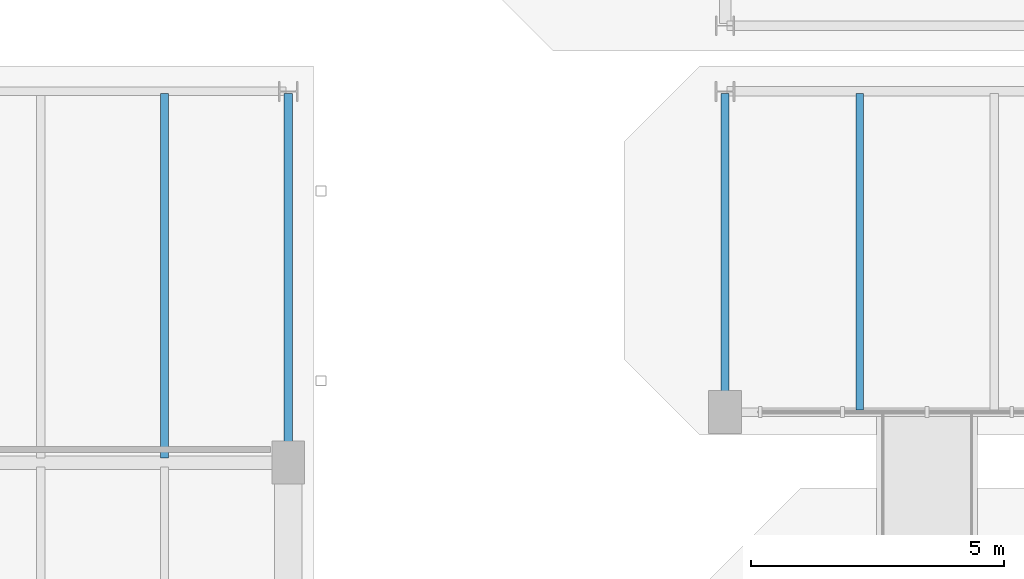
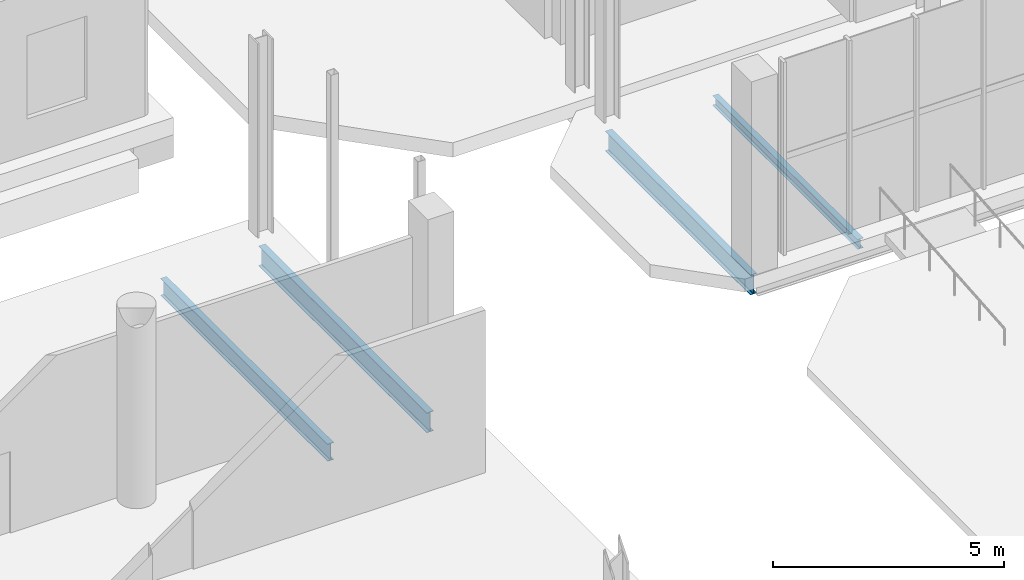
# One storey, part 37 of 87: 4 beams.
"""IFC4 building model written with IfcOpenShell, lengths in metres."""

from ifc_helpers import new_model, si_unit, direction, frame, origin, origin_2d, place, context, subcontext, project, spatial, i_section, extrude, material, material_profile, profile_set, type_object, element, save


model = new_model("IFC4")

# Units and contexts
model_context = context("Model", 3, precision=1e-05, world=origin(), true_north=direction((0.0, 1.0)))
body_context = subcontext(model_context, "Body", "Model", "MODEL_VIEW")
ifc_project = project(units=[si_unit("LENGTHUNIT", "METRE"), si_unit("AREAUNIT", "SQUARE_METRE"), si_unit("VOLUMEUNIT", "CUBIC_METRE"), si_unit("PLANEANGLEUNIT", "RADIAN"), si_unit("MASSUNIT", "GRAM", prefix="KILO")], contexts=[model_context])

# Site, building, storey
site_placement = place(None, origin())
site = spatial("IfcSite", under=ifc_project, at=site_placement, CompositionType="ELEMENT")
building_placement = place(site_placement, origin())
building = spatial("IfcBuilding", under=site, at=building_placement, Name="Brisemont Oceanarium", CompositionType="ELEMENT")
storey_placement = place(building_placement, origin())
storey = spatial("IfcBuildingStorey", under=building, at=storey_placement, Name="L00", CompositionType="ELEMENT", Elevation=0.0)

# Beams
ifc_material_1 = material(Name="Structural Steel ASTM A992 Gr.50", Category="steel")
ifc_material_profile_1 = material_profile(ifc_material_1, i_section(OverallWidth=0.14599609375, OverallDepth=0.259033203125, WebThickness=0.006103515625, FlangeThickness=0.009033203125, FilletRadius=0.008056640625, at=origin_2d()), Name="W10X22")
ifc_profile_set_1 = profile_set([ifc_material_profile_1], Name="Structural Steel ASTM A992 Gr.50")
beam_type_1 = type_object("IfcBeamType", Name="BM-W10X22", PredefinedType="LINTEL", material=ifc_profile_set_1)
beam_1_placement = place(storey_placement, frame((66.666748046875, 25.0400390625, -0.469482421875), z_axis=(0.0, 1.0, 0.0), x_axis=(-1.0, 0.0, 0.0)))
element("IfcBeam", 1, at=beam_1_placement, inside=storey, type_object=beam_type_1, Name="V1P L00 secondary floor beam", PredefinedType="LINTEL", context=body_context, shape_type="SweptSolid", body=[
    extrude(i_section(OverallWidth=0.14599609375, OverallDepth=0.259033203125, WebThickness=0.006103515625, FlangeThickness=0.009033203125, FilletRadius=0.008056640625, at=origin_2d()), origin(), (0.0, 0.0, 1.0), 6.27001953125),
])
ifc_material_2 = material(Name="Structural Steel ASTM A992 Gr.50", Category="steel")
ifc_material_profile_2 = material_profile(ifc_material_2, i_section(OverallWidth=0.153076171875, OverallDepth=0.455078125, WebThickness=0.008056640625, FlangeThickness=0.01318359375, FilletRadius=0.010986328125, at=origin_2d()), Name="W18X40")
ifc_profile_set_2 = profile_set([ifc_material_profile_2], Name="Structural Steel ASTM A992 Gr.50")
beam_type_2 = type_object("IfcBeamType", Name="BM-W18X40", PredefinedType="JOIST", material=ifc_profile_set_2)
beam_2_placement = place(storey_placement, frame((52.89990234375, 24.090087890625, -0.5673828125), z_axis=(0.0, 1.0, 0.0), x_axis=(-1.0, 0.0, 0.0)))
element("IfcBeam", 2, at=beam_2_placement, inside=storey, type_object=beam_type_2, Name="V2 L00 secondary floor beam", PredefinedType="JOIST", context=body_context, shape_type="SweptSolid", body=[
    extrude(i_section(OverallWidth=0.153076171875, OverallDepth=0.455078125, WebThickness=0.008056640625, FlangeThickness=0.01318359375, FilletRadius=0.010986328125, at=origin_2d()), origin(), (0.0, 0.0, 1.0), 7.219970703125),
])
ifc_material_3 = material(Name="Structural Steel ASTM A992 Gr.50", Category="steel")
ifc_material_profile_3 = material_profile(ifc_material_3, i_section(OverallWidth=0.166015625, OverallDepth=0.528076171875, WebThickness=0.009765625, FlangeThickness=0.013671875, FilletRadius=0.012939453125, at=origin_2d()), Name="W21X50")
ifc_profile_set_3 = profile_set([ifc_material_profile_3], Name="Structural Steel ASTM A992 Gr.50")
beam_type_3 = type_object("IfcBeamType", Name="BM-W21X50", PredefinedType="SPANDREL", material=ifc_profile_set_3)
beam_3_placement = place(storey_placement, frame((64.0, 25.0400390625, -0.60400390625), z_axis=(0.0, 1.0, 0.0), x_axis=(-1.0, 0.0, 0.0)))
element("IfcBeam", 3, at=beam_3_placement, inside=storey, type_object=beam_type_3, Name="V1P L00 NS girder", PredefinedType="SPANDREL", context=body_context, shape_type="SweptSolid", body=[
    extrude(i_section(OverallWidth=0.166015625, OverallDepth=0.528076171875, WebThickness=0.009765625, FlangeThickness=0.013671875, FilletRadius=0.012939453125, at=origin_2d()), origin(), (0.0, 0.0, 1.0), 6.27001953125),
])
beam_4_placement = place(storey_placement, frame((55.35009765625, 24.0400390625, -0.60400390625), z_axis=(0.0, 1.0, 0.0), x_axis=(-1.0, 0.0, 0.0)))
element("IfcBeam", 4, at=beam_4_placement, inside=storey, type_object=beam_type_3, Name="V2 L00 NS girder", PredefinedType="SPANDREL", context=body_context, shape_type="SweptSolid", body=[
    extrude(i_section(OverallWidth=0.166015625, OverallDepth=0.528076171875, WebThickness=0.009765625, FlangeThickness=0.013671875, FilletRadius=0.012939453125, at=origin_2d()), origin(), (0.0, 0.0, 1.0), 7.27001953125),
])

save(model, "model.ifc")
